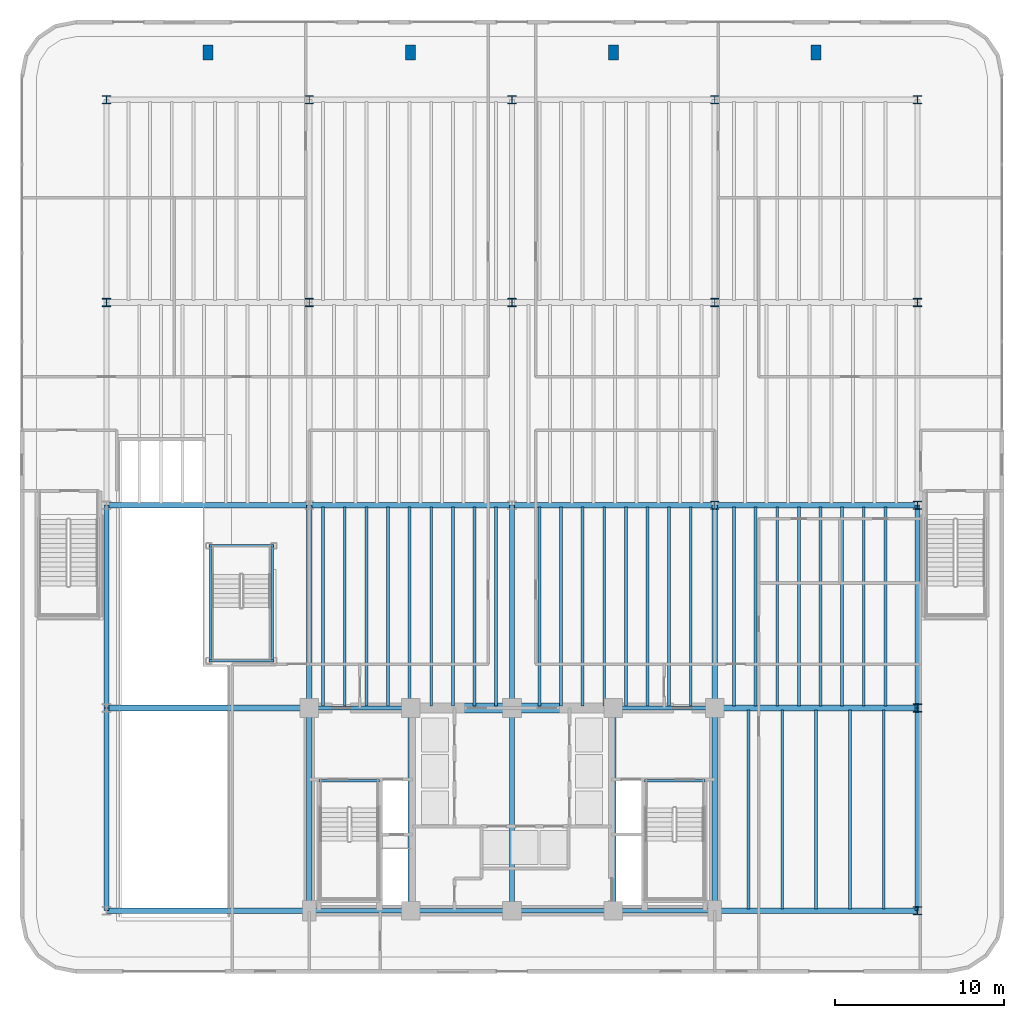
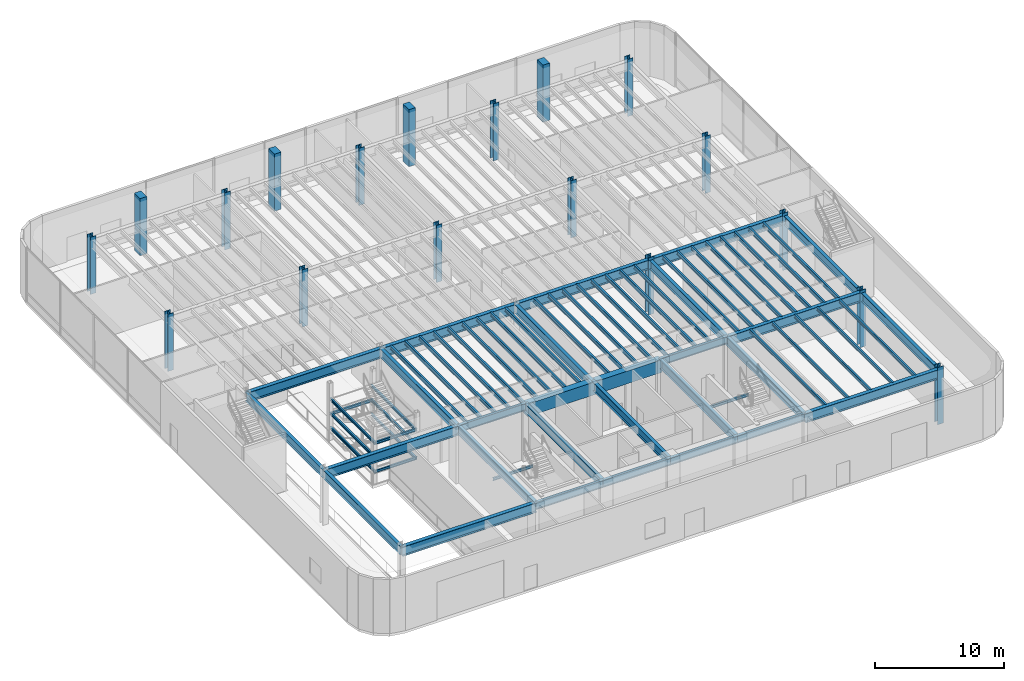
# One storey, part 2 of 17: 68 beams, 18 columns.
"""IFC4 building model written with IfcOpenShell, lengths in metres."""

from ifc_helpers import new_model, si_unit, direction, frame, origin, origin_2d, place, context, subcontext, project, spatial, rectangle, i_section, extrude, source, transform, mapped, material, material_profile, profile_set, type_object, element, save


model = new_model("IFC4")

# Units and contexts
model_context = context("Model", 3, precision=1e-05, world=origin(), true_north=direction((0.0, 1.0)))
body_context = subcontext(model_context, "Body", "Model", "MODEL_VIEW")
ifc_project = project(units=[si_unit("LENGTHUNIT", "METRE"), si_unit("AREAUNIT", "SQUARE_METRE"), si_unit("VOLUMEUNIT", "CUBIC_METRE"), si_unit("PLANEANGLEUNIT", "RADIAN"), si_unit("MASSUNIT", "GRAM", prefix="KILO")], contexts=[model_context])

# Site, building, storey
site_placement = place(None, origin())
site = spatial("IfcSite", under=ifc_project, at=site_placement, CompositionType="ELEMENT")
building_placement = place(site_placement, origin())
building = spatial("IfcBuilding", under=site, at=building_placement, Name="Brelvock Crest Care Tower", CompositionType="ELEMENT")
storey_placement = place(building_placement, origin())
storey = spatial("IfcBuildingStorey", under=building, at=storey_placement, Name="L00", CompositionType="ELEMENT", Elevation=0.0)

# Columns
ifc_material_1 = material(Name="Steel Grade 350", Category="steel")
ifc_material_profile_1 = material_profile(ifc_material_1, i_section(OverallWidth=0.5, OverallDepth=0.5, WebThickness=0.028076171875, FlangeThickness=0.044921875, at=origin_2d()), Name="500WC440")
ifc_profile_set_1 = profile_set([ifc_material_profile_1], Name="Steel Grade 350")
column_type_1 = type_object("IfcColumnType", Name="COL-PC1", PredefinedType="COLUMN", material=ifc_profile_set_1)
shared_shape_1 = source(origin(), body_context, "Body", "SweptSolid", [
    extrude(i_section(OverallWidth=0.5, OverallDepth=0.5, WebThickness=0.028076171875, FlangeThickness=0.044921875, at=origin_2d()), origin(), (0.0, 0.0, 1.0), 5.39990234375),
])
for number, where, z_axis, x_axis, name in (
    (1, (60.0, 6.0, 0.0), (0.0, 0.0, 1.0), (1.0, 0.0, 0.0), "L00 Podium Column PC-02"),
    (2, (60.0, 18.0, 0.0), (0.0, 0.0, 1.0), (1.0, 0.0, 0.0), "L00 Podium Column PC-04"),
    (3, (48.0, 30.0, 0.0), (0.0, 0.0, 1.0), (1.0, 0.0, 0.0), "L00 Podium Column PC-08"),
    (4, (60.0, 30.0, 0.0), (0.0, 0.0, 1.0), (1.0, 0.0, 0.0), "L00 Podium Column PC-09"),
    (5, (12.0, 42.0, 0.0), (0.0, 0.0, 1.0), (1.0, 0.0, 0.0), "L00 Podium Column PC-10"),
    (6, (24.0, 42.0, 0.0), (0.0, 0.0, 1.0), (1.0, 0.0, 0.0), "L00 Podium Column PC-11"),
    (7, (36.0, 42.0, 0.0), (0.0, 0.0, 1.0), (1.0, 0.0, 0.0), "L00 Podium Column PC-12"),
    (8, (48.0, 42.0, 0.0), (0.0, 0.0, 1.0), (1.0, 0.0, 0.0), "L00 Podium Column PC-13"),
    (9, (60.0, 42.0, 0.0), (0.0, 0.0, 1.0), (1.0, 0.0, 0.0), "L00 Podium Column PC-14"),
    (10, (12.0, 54.0, 0.0), (0.0, 0.0, 1.0), (1.0, 0.0, 0.0), "L00 Podium Column PC-15"),
    (11, (24.0, 54.0, 0.0), (0.0, 0.0, 1.0), (1.0, 0.0, 0.0), "L00 Podium Column PC-16"),
    (12, (36.0, 54.0, 0.0), (0.0, 0.0, 1.0), (1.0, 0.0, 0.0), "L00 Podium Column PC-17"),
    (13, (48.0, 54.0, 0.0), (0.0, 0.0, 1.0), (1.0, 0.0, 0.0), "L00 Podium Column PC-18"),
    (14, (60.0, 54.0, 0.0), (0.0, 0.0, 1.0), (1.0, 0.0, 0.0), "L00 Podium Column PC-19"),
):
    element("IfcColumn", number, at=place(storey_placement, frame(where, z_axis=z_axis, x_axis=x_axis)), inside=storey, type_object=column_type_1, Name=name, PredefinedType="COLUMN", context=body_context, shape_type="MappedRepresentation", body=[
        mapped(shared_shape_1, transform((0.0, 0.0, 0.0), x_axis=(1.0, 0.0, 0.0), y_axis=(0.0, 1.0, 0.0), z_axis=(0.0, 0.0, 1.0), scale=1.0)),
    ])
ifc_material_2 = material(Name="Concrete N50 (50 MPa)", Category="concrete")
ifc_material_profile_2 = material_profile(ifc_material_2, rectangle(XDim=0.60009765625, YDim=0.89990234375, at=origin_2d()), Name="RC600x900")
ifc_profile_set_2 = profile_set([ifc_material_profile_2], Name="Concrete N50 (50 MPa)")
column_type_2 = type_object("IfcColumnType", Name="COL-PL1", PredefinedType="PILASTER", material=ifc_profile_set_2)
shared_shape_2 = source(origin(), body_context, "Body", "SweptSolid", [
    extrude(rectangle(XDim=0.60009765625, YDim=0.89990234375, at=origin_2d()), origin(), (0.0, 0.0, 1.0), 5.39990234375),
])
for number, where, z_axis, x_axis, name in (
    (15, (18.0, 56.800048828125, 0.0), (0.0, 0.0, 1.0), (1.0, 0.0, 0.0), "L00 Podium Pilaster PIL-1"),
    (16, (30.0, 56.800048828125, 0.0), (0.0, 0.0, 1.0), (1.0, 0.0, 0.0), "L00 Podium Pilaster PIL-2"),
    (17, (42.0, 56.800048828125, 0.0), (0.0, 0.0, 1.0), (1.0, 0.0, 0.0), "L00 Podium Pilaster PIL-3"),
    (18, (54.0, 56.800048828125, 0.0), (0.0, 0.0, 1.0), (1.0, 0.0, 0.0), "L00 Podium Pilaster PIL-4"),
):
    element("IfcColumn", number, at=place(storey_placement, frame(where, z_axis=z_axis, x_axis=x_axis)), inside=storey, type_object=column_type_2, Name=name, PredefinedType="PILASTER", context=body_context, shape_type="MappedRepresentation", body=[
        mapped(shared_shape_2, transform((0.0, 0.0, 0.0), x_axis=(1.0, 0.0, 0.0), y_axis=(0.0, 1.0, 0.0), z_axis=(0.0, 0.0, 1.0), scale=1.0)),
    ])

# Beams
ifc_material_3 = material(Name="Concrete S80 (80 MPa)", Category="concrete")
ifc_material_profile_3 = material_profile(ifc_material_3, rectangle(XDim=0.60009765625, YDim=1.199951171875, at=origin_2d()), Name="RC600x1200")
ifc_profile_set_3 = profile_set([ifc_material_profile_3], Name="Concrete S80 (80 MPa)")
beam_type_1 = type_object("IfcBeamType", Name="BM-LN1", PredefinedType="LINTEL", material=ifc_profile_set_3)
shared_shape_3 = source(origin(), body_context, "Body", "SweptSolid", [
    extrude(rectangle(XDim=0.60009765625, YDim=1.199951171875, at=origin_2d()), origin(), (0.0, 0.0, 1.0), 12.0),
])
beam_placement = place(storey_placement, frame((30.0, 18.0, 4.52001953125), z_axis=(1.0, 0.0, 0.0), x_axis=(0.0, 1.0, 0.0)))
element("IfcBeam", 19, at=beam_placement, inside=storey, type_object=beam_type_1, Name="L00 Core Coupling Lintel Beam", PredefinedType="LINTEL", context=body_context, shape_type="MappedRepresentation", body=[
    mapped(shared_shape_3, transform((0.0, 0.0, 0.0), x_axis=(1.0, 0.0, 0.0), y_axis=(0.0, 1.0, 0.0), z_axis=(0.0, 0.0, 1.0), scale=1.0)),
])
ifc_material_profile_4 = material_profile(ifc_material_1, i_section(OverallWidth=0.25, OverallDepth=0.699951171875, WebThickness=0.011962890625, FlangeThickness=0.02001953125, at=origin_2d()), Name="700WB150")
ifc_profile_set_4 = profile_set([ifc_material_profile_4], Name="Steel Grade 350")
beam_type_2 = type_object("IfcBeamType", Name="BM-G4", PredefinedType="BEAM", material=ifc_profile_set_4)
shared_shape_4 = source(origin(), body_context, "Body", "SweptSolid", [
    extrude(i_section(OverallWidth=0.25, OverallDepth=0.699951171875, WebThickness=0.011962890625, FlangeThickness=0.02001953125, at=origin_2d()), origin(), (0.0, 0.0, 1.0), 6.0),
])
for number, where, z_axis, x_axis, name in (
    (20, (24.0, 6.0, 4.77001953125), (1.0, 0.0, 0.0), (0.0, 1.0, 0.0), "BM-CORES-L00-1"),
    (21, (24.0, 18.0, 4.77001953125), (1.0, 0.0, 0.0), (0.0, 1.0, 0.0), "BM-COREN-L00-1"),
    (22, (30.0, 6.0, 4.77001953125), (1.0, 0.0, 0.0), (0.0, 1.0, 0.0), "BM-CORES-L00-2"),
    (23, (36.0, 6.0, 4.77001953125), (1.0, 0.0, 0.0), (0.0, 1.0, 0.0), "BM-CORES-L00-3"),
    (24, (42.0, 6.0, 4.77001953125), (1.0, 0.0, 0.0), (0.0, 1.0, 0.0), "BM-CORES-L00-4"),
    (25, (42.0, 18.0, 4.77001953125), (1.0, 0.0, 0.0), (0.0, 1.0, 0.0), "BM-COREN-L00-4"),
):
    element("IfcBeam", number, at=place(storey_placement, frame(where, z_axis=z_axis, x_axis=x_axis)), inside=storey, type_object=beam_type_2, Name=name, PredefinedType="BEAM", context=body_context, shape_type="MappedRepresentation", body=[
        mapped(shared_shape_4, transform((0.0, 0.0, 0.0), x_axis=(1.0, 0.0, 0.0), y_axis=(0.0, 1.0, 0.0), z_axis=(0.0, 0.0, 1.0), scale=1.0)),
    ])
ifc_material_profile_5 = material_profile(ifc_material_1, i_section(OverallWidth=0.300048828125, OverallDepth=0.800048828125, WebThickness=0.013916015625, FlangeThickness=0.02197265625, at=origin_2d()), Name="800WB192")
ifc_profile_set_5 = profile_set([ifc_material_profile_5], Name="Steel Grade 350")
beam_type_3 = type_object("IfcBeamType", Name="BM-G5", PredefinedType="BEAM", material=ifc_profile_set_5)
shared_shape_5 = source(origin(), body_context, "Body", "SweptSolid", [
    extrude(i_section(OverallWidth=0.300048828125, OverallDepth=0.800048828125, WebThickness=0.013916015625, FlangeThickness=0.02197265625, at=origin_2d()), origin(), (0.0, 0.0, 1.0), 12.0),
])
for number, where, z_axis, x_axis, name in (
    (26, (24.0, 6.0, 4.719970703125), (0.0, 1.0, 0.0), (-1.0, 0.0, 0.0), "BM-COREX-L00-1"),
    (27, (30.0, 6.0, 4.719970703125), (0.0, 1.0, 0.0), (-1.0, 0.0, 0.0), "BM-COREX-L00-2"),
    (28, (36.0, 6.0, 4.719970703125), (0.0, 1.0, 0.0), (-1.0, 0.0, 0.0), "BM-COREX-L00-3"),
    (29, (42.0, 6.0, 4.719970703125), (0.0, 1.0, 0.0), (-1.0, 0.0, 0.0), "BM-COREX-L00-4"),
    (30, (48.0, 6.0, 4.719970703125), (0.0, 1.0, 0.0), (-1.0, 0.0, 0.0), "BM-COREX-L00-5"),
    (31, (12.0, 6.0, 4.719970703125), (0.0, 1.0, 0.0), (-1.0, 0.0, 0.0), "BM-PODY-L00-12-6"),
    (32, (12.0, 18.0, 4.719970703125), (0.0, 1.0, 0.0), (-1.0, 0.0, 0.0), "BM-PODY-L00-12-18"),
    (33, (24.0, 18.0, 4.719970703125), (0.0, 1.0, 0.0), (-1.0, 0.0, 0.0), "BM-PODY-L00-24-18"),
    (34, (36.0, 18.0, 4.719970703125), (0.0, 1.0, 0.0), (-1.0, 0.0, 0.0), "BM-PODY-L00-36-18"),
    (35, (48.0, 18.0, 4.719970703125), (0.0, 1.0, 0.0), (-1.0, 0.0, 0.0), "BM-PODY-L00-48-18"),
    (36, (60.0, 6.0, 4.719970703125), (0.0, 1.0, 0.0), (-1.0, 0.0, 0.0), "BM-PODY-L00-60-6"),
    (37, (60.0, 18.0, 4.719970703125), (0.0, 1.0, 0.0), (-1.0, 0.0, 0.0), "BM-PODY-L00-60-18"),
):
    element("IfcBeam", number, at=place(storey_placement, frame(where, z_axis=z_axis, x_axis=x_axis)), inside=storey, type_object=beam_type_3, Name=name, PredefinedType="BEAM", context=body_context, shape_type="MappedRepresentation", body=[
        mapped(shared_shape_5, transform((0.0, 0.0, 0.0), x_axis=(1.0, 0.0, 0.0), y_axis=(0.0, 1.0, 0.0), z_axis=(0.0, 0.0, 1.0), scale=1.0)),
    ])
ifc_material_profile_6 = material_profile(ifc_material_1, i_section(OverallWidth=0.35009765625, OverallDepth=0.89990234375, WebThickness=0.01611328125, FlangeThickness=0.028076171875, at=origin_2d()), Name="900WB257")
ifc_profile_set_6 = profile_set([ifc_material_profile_6], Name="Steel Grade 350")
beam_type_4 = type_object("IfcBeamType", Name="BM-G6", PredefinedType="BEAM", material=ifc_profile_set_6)
shared_shape_6 = source(origin(), body_context, "Body", "SweptSolid", [
    extrude(i_section(OverallWidth=0.35009765625, OverallDepth=0.89990234375, WebThickness=0.01611328125, FlangeThickness=0.028076171875, at=origin_2d()), origin(), (0.0, 0.0, 1.0), 12.0),
])
for number, where, z_axis, x_axis, name in (
    (38, (12.0, 6.0, 4.669921875), (1.0, 0.0, 0.0), (0.0, 1.0, 0.0), "BM-PODX-L00-6-12"),
    (39, (48.0, 6.0, 4.669921875), (1.0, 0.0, 0.0), (0.0, 1.0, 0.0), "BM-PODX-L00-6-48"),
    (40, (12.0, 18.0, 4.669921875), (1.0, 0.0, 0.0), (0.0, 1.0, 0.0), "BM-PODX-L00-18-12"),
    (41, (48.0, 18.0, 4.669921875), (1.0, 0.0, 0.0), (0.0, 1.0, 0.0), "BM-PODX-L00-18-48"),
    (42, (12.0, 30.0, 4.669921875), (1.0, 0.0, 0.0), (0.0, 1.0, 0.0), "BM-PODX-L00-30-12"),
    (43, (24.0, 30.0, 4.669921875), (1.0, 0.0, 0.0), (0.0, 1.0, 0.0), "BM-PODX-L00-30-24"),
    (44, (36.0, 30.0, 4.669921875), (1.0, 0.0, 0.0), (0.0, 1.0, 0.0), "BM-PODX-L00-30-36"),
    (45, (48.0, 30.0, 4.669921875), (1.0, 0.0, 0.0), (0.0, 1.0, 0.0), "BM-PODX-L00-30-48"),
):
    element("IfcBeam", number, at=place(storey_placement, frame(where, z_axis=z_axis, x_axis=x_axis)), inside=storey, type_object=beam_type_4, Name=name, PredefinedType="BEAM", context=body_context, shape_type="MappedRepresentation", body=[
        mapped(shared_shape_6, transform((0.0, 0.0, 0.0), x_axis=(1.0, 0.0, 0.0), y_axis=(0.0, 1.0, 0.0), z_axis=(0.0, 0.0, 1.0), scale=1.0)),
    ])
ifc_material_profile_7 = material_profile(ifc_material_1, i_section(OverallWidth=0.172119140625, OverallDepth=0.35888671875, WebThickness=0.008056640625, FlangeThickness=0.012939453125, FilletRadius=0.011474609375, at=origin_2d()), Name="360UB56.7")
ifc_profile_set_7 = profile_set([ifc_material_profile_7], Name="Steel Grade 350")
beam_type_5 = type_object("IfcBeamType", Name="BM-J1", PredefinedType="JOIST", material=ifc_profile_set_7)
shared_shape_7 = source(origin(), body_context, "Body", "SweptSolid", [
    extrude(i_section(OverallWidth=0.172119140625, OverallDepth=0.35888671875, WebThickness=0.008056640625, FlangeThickness=0.012939453125, FilletRadius=0.011474609375, at=origin_2d()), origin(), (0.0, 0.0, 1.0), 11.77001953125),
])
for number, where, z_axis, x_axis, name in (
    (46, (24.820068359375, 18.114990234375, 4.9404296875), (0.0, 1.0, 0.0), (-1.0, 0.0, 0.0), "BM-PODJ-L00-2482-18"),
    (47, (26.10009765625, 18.114990234375, 4.9404296875), (0.0, 1.0, 0.0), (-1.0, 0.0, 0.0), "BM-PODJ-L00-2610-18"),
    (48, (27.3798828125, 18.114990234375, 4.9404296875), (0.0, 1.0, 0.0), (-1.0, 0.0, 0.0), "BM-PODJ-L00-2738-18"),
    (49, (28.659912109375, 18.114990234375, 4.9404296875), (0.0, 1.0, 0.0), (-1.0, 0.0, 0.0), "BM-PODJ-L00-2866-18"),
    (50, (29.93994140625, 18.114990234375, 4.9404296875), (0.0, 1.0, 0.0), (-1.0, 0.0, 0.0), "BM-PODJ-L00-2994-18"),
    (51, (31.219970703125, 18.114990234375, 4.9404296875), (0.0, 1.0, 0.0), (-1.0, 0.0, 0.0), "BM-PODJ-L00-3122-18"),
    (52, (32.5, 18.114990234375, 4.9404296875), (0.0, 1.0, 0.0), (-1.0, 0.0, 0.0), "BM-PODJ-L00-3250-18"),
    (53, (33.780029296875, 18.114990234375, 4.9404296875), (0.0, 1.0, 0.0), (-1.0, 0.0, 0.0), "BM-PODJ-L00-3378-18"),
    (54, (35.06005859375, 18.114990234375, 4.9404296875), (0.0, 1.0, 0.0), (-1.0, 0.0, 0.0), "BM-PODJ-L00-3506-18"),
    (55, (37.6201171875, 18.114990234375, 4.9404296875), (0.0, 1.0, 0.0), (-1.0, 0.0, 0.0), "BM-PODJ-L00-3762-18"),
    (56, (38.89990234375, 18.114990234375, 4.9404296875), (0.0, 1.0, 0.0), (-1.0, 0.0, 0.0), "BM-PODJ-L00-3890-18"),
    (57, (40.179931640625, 18.114990234375, 4.9404296875), (0.0, 1.0, 0.0), (-1.0, 0.0, 0.0), "BM-PODJ-L00-4018-18"),
    (58, (41.4599609375, 18.114990234375, 4.9404296875), (0.0, 1.0, 0.0), (-1.0, 0.0, 0.0), "BM-PODJ-L00-4146-18"),
    (59, (42.739990234375, 18.114990234375, 4.9404296875), (0.0, 1.0, 0.0), (-1.0, 0.0, 0.0), "BM-PODJ-L00-4274-18"),
    (60, (44.02001953125, 18.114990234375, 4.9404296875), (0.0, 1.0, 0.0), (-1.0, 0.0, 0.0), "BM-PODJ-L00-4402-18"),
    (61, (45.300048828125, 18.114990234375, 4.9404296875), (0.0, 1.0, 0.0), (-1.0, 0.0, 0.0), "BM-PODJ-L00-4530-18"),
    (62, (46.580078125, 18.114990234375, 4.9404296875), (0.0, 1.0, 0.0), (-1.0, 0.0, 0.0), "BM-PODJ-L00-4658-18"),
    (63, (49.139892578125, 18.114990234375, 4.9404296875), (0.0, 1.0, 0.0), (-1.0, 0.0, 0.0), "BM-PODJ-L00-4914-18"),
    (64, (50.419921875, 18.114990234375, 4.9404296875), (0.0, 1.0, 0.0), (-1.0, 0.0, 0.0), "BM-PODJ-L00-5042-18"),
    (65, (51.699951171875, 18.114990234375, 4.9404296875), (0.0, 1.0, 0.0), (-1.0, 0.0, 0.0), "BM-PODJ-L00-5170-18"),
    (66, (52.97998046875, 18.114990234375, 4.9404296875), (0.0, 1.0, 0.0), (-1.0, 0.0, 0.0), "BM-PODJ-L00-5298-18"),
    (67, (54.260009765625, 18.114990234375, 4.9404296875), (0.0, 1.0, 0.0), (-1.0, 0.0, 0.0), "BM-PODJ-L00-5426-18"),
    (68, (55.5400390625, 18.114990234375, 4.9404296875), (0.0, 1.0, 0.0), (-1.0, 0.0, 0.0), "BM-PODJ-L00-5554-18"),
    (69, (56.820068359375, 18.114990234375, 4.9404296875), (0.0, 1.0, 0.0), (-1.0, 0.0, 0.0), "BM-PODJ-L00-5682-18"),
    (70, (58.10009765625, 18.114990234375, 4.9404296875), (0.0, 1.0, 0.0), (-1.0, 0.0, 0.0), "BM-PODJ-L00-5810-18"),
):
    element("IfcBeam", number, at=place(storey_placement, frame(where, z_axis=z_axis, x_axis=x_axis)), inside=storey, type_object=beam_type_5, Name=name, PredefinedType="JOIST", context=body_context, shape_type="MappedRepresentation", body=[
        mapped(shared_shape_7, transform((0.0, 0.0, 0.0), x_axis=(1.0, 0.0, 0.0), y_axis=(0.0, 1.0, 0.0), z_axis=(0.0, 0.0, 1.0), scale=1.0)),
    ])
ifc_material_profile_8 = material_profile(ifc_material_1, i_section(OverallWidth=0.166015625, OverallDepth=0.306884765625, WebThickness=0.006591796875, FlangeThickness=0.01171875, FilletRadius=0.011474609375, at=origin_2d()), Name="310UB46.2")
ifc_profile_set_8 = profile_set([ifc_material_profile_8], Name="Steel Grade 350")
beam_type_6 = type_object("IfcBeamType", Name="BM-J2", PredefinedType="JOIST", material=ifc_profile_set_8)
shared_shape_8 = source(origin(), body_context, "Body", "SweptSolid", [
    extrude(i_section(OverallWidth=0.166015625, OverallDepth=0.306884765625, WebThickness=0.006591796875, FlangeThickness=0.01171875, FilletRadius=0.011474609375, at=origin_2d()), origin(), (0.0, 0.0, 1.0), 11.77001953125),
])
for number, where, z_axis, x_axis, name in (
    (71, (50.0, 6.114990234375, 4.966552734375), (0.0, 1.0, 0.0), (-1.0, 0.0, 0.0), "BM-PODSJ-L00-500"),
    (72, (52.0, 6.114990234375, 4.966552734375), (0.0, 1.0, 0.0), (-1.0, 0.0, 0.0), "BM-PODSJ-L00-520"),
    (73, (54.0, 6.114990234375, 4.966552734375), (0.0, 1.0, 0.0), (-1.0, 0.0, 0.0), "BM-PODSJ-L00-540"),
    (74, (56.0, 6.114990234375, 4.966552734375), (0.0, 1.0, 0.0), (-1.0, 0.0, 0.0), "BM-PODSJ-L00-560"),
    (75, (58.0, 6.114990234375, 4.966552734375), (0.0, 1.0, 0.0), (-1.0, 0.0, 0.0), "BM-PODSJ-L00-580"),
):
    element("IfcBeam", number, at=place(storey_placement, frame(where, z_axis=z_axis, x_axis=x_axis)), inside=storey, type_object=beam_type_6, Name=name, PredefinedType="JOIST", context=body_context, shape_type="MappedRepresentation", body=[
        mapped(shared_shape_8, transform((0.0, 0.0, 0.0), x_axis=(1.0, 0.0, 0.0), y_axis=(0.0, 1.0, 0.0), z_axis=(0.0, 0.0, 1.0), scale=1.0)),
    ])
ifc_material_profile_9 = material_profile(ifc_material_1, i_section(OverallWidth=0.14599609375, OverallDepth=0.256103515625, WebThickness=0.00634765625, FlangeThickness=0.010986328125, FilletRadius=0.0087890625, at=origin_2d()), Name="250UB37.3")
ifc_profile_set_9 = profile_set([ifc_material_profile_9], Name="Steel Grade 350")
beam_type_7 = type_object("IfcBeamType", Name="BM-J3", PredefinedType="JOIST", material=ifc_profile_set_9)
shared_shape_9 = source(origin(), body_context, "Body", "SweptSolid", [
    extrude(i_section(OverallWidth=0.14599609375, OverallDepth=0.256103515625, WebThickness=0.00634765625, FlangeThickness=0.010986328125, FilletRadius=0.0087890625, at=origin_2d()), origin(), (0.0, 0.0, 1.0), 3.83984375),
])
for number, where, z_axis, x_axis, name in (
    (76, (18.06005859375, 20.800048828125, 1.02197265625), (1.0, 0.0, 0.0), (0.0, 1.0, 0.0), "BM-ST5L-L00-1-H"),
    (77, (18.06005859375, 27.60009765625, 2.3720703125), (1.0, 0.0, 0.0), (0.0, 1.0, 0.0), "BM-ST5L-L00-2-H"),
    (78, (18.06005859375, 20.800048828125, 3.721923828125), (1.0, 0.0, 0.0), (0.0, 1.0, 0.0), "BM-ST5L-L00-3-H"),
):
    element("IfcBeam", number, at=place(storey_placement, frame(where, z_axis=z_axis, x_axis=x_axis)), inside=storey, type_object=beam_type_7, Name=name, PredefinedType="JOIST", context=body_context, shape_type="MappedRepresentation", body=[
        mapped(shared_shape_9, transform((0.0, 0.0, 0.0), x_axis=(1.0, 0.0, 0.0), y_axis=(0.0, 1.0, 0.0), z_axis=(0.0, 0.0, 1.0), scale=1.0)),
    ])
shared_shape_10 = source(origin(), body_context, "Body", "SweptSolid", [
    extrude(i_section(OverallWidth=0.14599609375, OverallDepth=0.256103515625, WebThickness=0.00634765625, FlangeThickness=0.010986328125, FilletRadius=0.0087890625, at=origin_2d()), origin(), (0.0, 0.0, 1.0), 6.9599609375),
])
for number, where, z_axis, x_axis, name in (
    (79, (18.159912109375, 20.719970703125, 1.02197265625), (0.0, 1.0, 0.0), (-1.0, 0.0, 0.0), "BM-ST5L-L00-1-W"),
    (80, (21.800048828125, 20.719970703125, 1.02197265625), (0.0, 1.0, 0.0), (-1.0, 0.0, 0.0), "BM-ST5L-L00-1-E"),
    (81, (18.159912109375, 20.719970703125, 2.3720703125), (0.0, 1.0, 0.0), (-1.0, 0.0, 0.0), "BM-ST5L-L00-2-W"),
    (82, (21.800048828125, 20.719970703125, 2.3720703125), (0.0, 1.0, 0.0), (-1.0, 0.0, 0.0), "BM-ST5L-L00-2-E"),
    (83, (18.159912109375, 20.719970703125, 3.721923828125), (0.0, 1.0, 0.0), (-1.0, 0.0, 0.0), "BM-ST5L-L00-3-W"),
    (84, (21.800048828125, 20.719970703125, 3.721923828125), (0.0, 1.0, 0.0), (-1.0, 0.0, 0.0), "BM-ST5L-L00-3-E"),
):
    element("IfcBeam", number, at=place(storey_placement, frame(where, z_axis=z_axis, x_axis=x_axis)), inside=storey, type_object=beam_type_7, Name=name, PredefinedType="JOIST", context=body_context, shape_type="MappedRepresentation", body=[
        mapped(shared_shape_10, transform((0.0, 0.0, 0.0), x_axis=(1.0, 0.0, 0.0), y_axis=(0.0, 1.0, 0.0), z_axis=(0.0, 0.0, 1.0), scale=1.0)),
    ])
shared_shape_11 = source(origin(), body_context, "Body", "SweptSolid", [
    extrude(i_section(OverallWidth=0.14599609375, OverallDepth=0.256103515625, WebThickness=0.00634765625, FlangeThickness=0.010986328125, FilletRadius=0.0087890625, at=origin_2d()), origin(), (0.0, 0.0, 1.0), 3.56982421875),
])
for number, where, z_axis, x_axis, name in (
    (85, (24.580078125, 13.679931640625, 2.3720703125), (1.0, 0.0, 0.0), (0.0, 1.0, 0.0), "BM-ST1L-L00"),
    (86, (43.85009765625, 13.679931640625, 2.3720703125), (1.0, 0.0, 0.0), (0.0, 1.0, 0.0), "BM-ST2L-L00"),
):
    element("IfcBeam", number, at=place(storey_placement, frame(where, z_axis=z_axis, x_axis=x_axis)), inside=storey, type_object=beam_type_7, Name=name, PredefinedType="JOIST", context=body_context, shape_type="MappedRepresentation", body=[
        mapped(shared_shape_11, transform((0.0, 0.0, 0.0), x_axis=(1.0, 0.0, 0.0), y_axis=(0.0, 1.0, 0.0), z_axis=(0.0, 0.0, 1.0), scale=1.0)),
    ])

save(model, "model.ifc")
